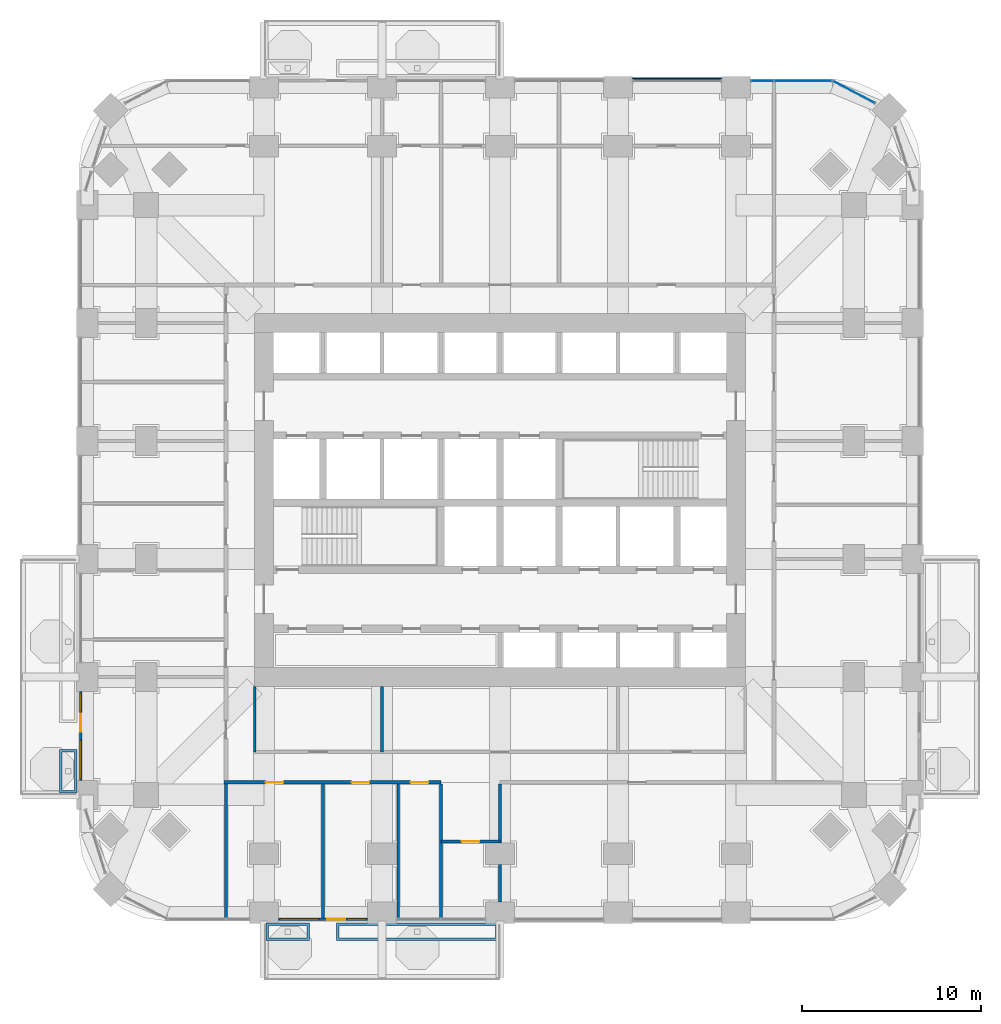
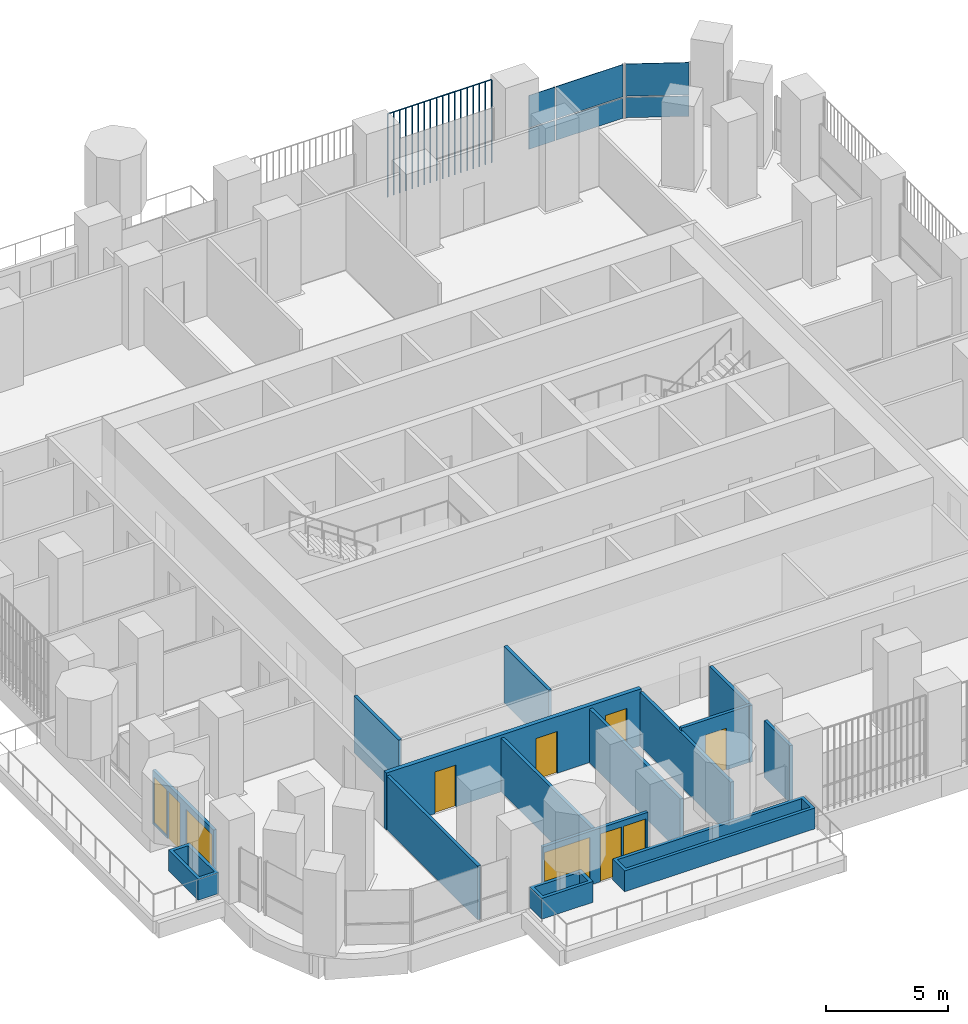
# One storey, part 12 of 21: 15 walls, 7 plates, 6 doors, 4 windows, 10 openings, 2 elements without a shape of their own.
"""IFC4 building model written with IfcOpenShell, lengths in metres."""

from ifc_helpers import new_model, si_unit, direction, frame, frame_2d, origin, origin_2d, place, context, subcontext, project, spatial, polyline, rectangle, outline, extrude, material, layer, layer_set, type_object, element, fill, aggregate, save


model = new_model("IFC4")

# Units and contexts
model_context = context("Model", 3, precision=1e-05, world=origin(), true_north=direction((0.0, 1.0)))
body_context = subcontext(model_context, "Body", "Model", "MODEL_VIEW")
ifc_project = project(units=[si_unit("LENGTHUNIT", "METRE"), si_unit("AREAUNIT", "SQUARE_METRE"), si_unit("VOLUMEUNIT", "CUBIC_METRE"), si_unit("PLANEANGLEUNIT", "RADIAN"), si_unit("MASSUNIT", "GRAM", prefix="KILO")], contexts=[model_context])

# Site, building, storey
site_placement = place(None, origin())
site = spatial("IfcSite", under=ifc_project, at=site_placement, CompositionType="ELEMENT")
building_placement = place(site_placement, origin())
building = spatial("IfcBuilding", under=site, at=building_placement, Name="Cobogo Forest Laboratory Tower", CompositionType="ELEMENT")
storey_placement = place(building_placement, frame((0.0, 0.0, 90.60009765625)))
storey = spatial("IfcBuildingStorey", under=building, at=storey_placement, Name="L20", CompositionType="ELEMENT", Elevation=90.60009765625)

# Curtain wall, plates
ifc_material_1 = material(Name="Aluminium curtain wall", Category="aluminium")
curtain_wall_type = type_object("IfcCurtainWallType", Name="CW-1 unitised curtain wall, clear glazing, laboratory floors zones A and B", PredefinedType="USERDEFINED", material=ifc_material_1)
curtain_wall_1_placement = place(storey_placement, origin())
curtain_wall_1 = element("IfcCurtainWall", 1, at=curtain_wall_1_placement, inside=storey, type_object=curtain_wall_type, Name="Curtain wall 17 L20", ObjectType="UNITISED CURTAIN WALL", PredefinedType="USERDEFINED")
ifc_material_2 = material(Name="Clear insulated glass", Category="glass")
ifc_layer_1 = layer(ifc_material_2, 0.028076171875)
ifc_layer_set_1 = layer_set([ifc_layer_1], Name="GP-1 clear insulated glass unit 28")
plate_type_1 = type_object("IfcPlateType", Name="GP-1 clear insulated glass unit 28", PredefinedType="CURTAIN_PANEL", material=ifc_layer_set_1)
plate_1_placement = place(storey_placement, frame((46.2060546875, 45.917724609375, 0.0), z_axis=(0.0, 0.0, 1.0), x_axis=(-0.885686540666, 0.464283697413, 0.0)))
plate_1 = element("IfcPlate", 2, at=plate_1_placement, type_object=plate_type_1, Name="CW-1 panel 1.1", PredefinedType="CURTAIN_PANEL", context=body_context, shape_type="SweptSolid", body=[
    extrude(rectangle(XDim=2.603271484375, YDim=0.028076171875, at=origin_2d()), origin(), (0.0, 0.0, 1.0), 1.02001953125),
])
plate_2_placement = place(storey_placement, frame((46.2060546875, 45.917724609375, 1.079833984375), z_axis=(0.0, 0.0, 1.0), x_axis=(-0.885686540666, 0.464283697413, 0.0)))
plate_2 = element("IfcPlate", 3, at=plate_2_placement, type_object=plate_type_1, Name="CW-1 panel 1.2", PredefinedType="CURTAIN_PANEL", context=body_context, shape_type="SweptSolid", body=[
    extrude(rectangle(XDim=2.603271484375, YDim=0.028076171875, at=origin_2d()), origin(), (0.0, 0.0, 1.0), 1.6201171875),
])
aggregate(curtain_wall_1, [plate_1, plate_2])

curtain_wall_2_placement = place(storey_placement, origin())
curtain_wall_2 = element("IfcCurtainWall", 4, at=curtain_wall_2_placement, inside=storey, type_object=curtain_wall_type, Name="Curtain wall 18 L20", ObjectType="UNITISED CURTAIN WALL", PredefinedType="USERDEFINED")
plate_3_placement = place(storey_placement, frame((43.347412109375, 46.550048828125, 0.0), z_axis=(0.0, 0.0, 1.0), x_axis=(-1.0, 0.0, 0.0)))
plate_3 = element("IfcPlate", 5, at=plate_3_placement, type_object=plate_type_1, Name="CW-1 panel 1.1", PredefinedType="CURTAIN_PANEL", context=body_context, shape_type="SweptSolid", body=[
    extrude(rectangle(XDim=3.18505859375, YDim=0.028076171875, at=origin_2d()), origin(), (0.0, 0.0, 1.0), 1.02001953125),
])
plate_4_placement = place(storey_placement, frame((43.347412109375, 46.550048828125, 1.079833984375), z_axis=(0.0, 0.0, 1.0), x_axis=(-1.0, 0.0, 0.0)))
plate_4 = element("IfcPlate", 6, at=plate_4_placement, type_object=plate_type_1, Name="CW-1 panel 1.2", PredefinedType="CURTAIN_PANEL", context=body_context, shape_type="SweptSolid", body=[
    extrude(rectangle(XDim=3.18505859375, YDim=0.028076171875, at=origin_2d()), origin(), (0.0, 0.0, 1.0), 1.6201171875),
])
plate_5_placement = place(storey_placement, frame((41.077392578125, 46.550048828125, 0.0), z_axis=(0.0, 0.0, 1.0), x_axis=(-1.0, 0.0, 0.0)))
plate_5 = element("IfcPlate", 7, at=plate_5_placement, type_object=plate_type_1, Name="CW-1 panel 2.1", PredefinedType="CURTAIN_PANEL", context=body_context, shape_type="SweptSolid", body=[
    extrude(rectangle(XDim=1.235107421875, YDim=0.028076171875, at=origin_2d()), origin(), (0.0, 0.0, 1.0), 1.02001953125),
])
plate_6_placement = place(storey_placement, frame((41.077392578125, 46.550048828125, 1.079833984375), z_axis=(0.0, 0.0, 1.0), x_axis=(-1.0, 0.0, 0.0)))
plate_6 = element("IfcPlate", 8, at=plate_6_placement, type_object=plate_type_1, Name="CW-1 panel 2.2", PredefinedType="CURTAIN_PANEL", context=body_context, shape_type="SweptSolid", body=[
    extrude(rectangle(XDim=1.235107421875, YDim=0.028076171875, at=origin_2d()), origin(), (0.0, 0.0, 1.0), 1.6201171875),
])
aggregate(curtain_wall_2, [plate_3, plate_4, plate_5, plate_6])

# Plate
ifc_material_3 = material(Name="Terracotta", Category="masonry")
plate_type_2 = type_object("IfcPlateType", Name="TB1 terracotta baguette screen", PredefinedType="USERDEFINED", material=ifc_material_3)
plate_7_placement = place(storey_placement, frame((33.831298828125, 46.677978515625, -0.150146484375)))
element("IfcPlate", 9, at=plate_7_placement, inside=storey, type_object=plate_type_2, Name="Baguette screen N4 L20", ObjectType="BAGUETTE SCREEN", PredefinedType="USERDEFINED", context=body_context, shape_type="SweptSolid", body=[
    extrude(outline(polyline([(0.02880859375, 0.011962890625), (0.011962890625, 0.02880859375), (-0.011962890625, 0.02880859375), (-0.02880859375, 0.011962890625), (-0.02880859375, -0.011962890625), (-0.011962890625, -0.02880859375), (0.011962890625, -0.02880859375), (0.02880859375, -0.011962890625), (0.02880859375, 0.011962890625)])), frame((0.0, 0.0, 4.168701171875), z_axis=(1.0, 0.0, 0.0), x_axis=(0.0, 1.0, 0.0)), (0.0, 0.0, 1.0), 4.9375),
    extrude(outline(polyline([(0.02880859375, 0.011962890625), (0.011962890625, 0.02880859375), (-0.011962890625, 0.02880859375), (-0.02880859375, 0.011962890625), (-0.02880859375, -0.011962890625), (-0.011962890625, -0.02880859375), (0.011962890625, -0.02880859375), (0.02880859375, -0.011962890625), (0.02880859375, 0.011962890625)])), origin(), (0.0, 0.0, 1.0), 4.137451171875),
    extrude(outline(polyline([(0.02880859375, 0.011962890625), (0.011962890625, 0.02880859375), (-0.011962890625, 0.02880859375), (-0.02880859375, 0.011962890625), (-0.02880859375, -0.011962890625), (-0.011962890625, -0.02880859375), (0.011962890625, -0.02880859375), (0.02880859375, -0.011962890625), (0.02880859375, 0.011962890625)])), frame((0.29052734375, 0.0, 0.0)), (0.0, 0.0, 1.0), 4.137451171875),
    extrude(outline(polyline([(0.02880859375, 0.011962890625), (0.011962890625, 0.02880859375), (-0.011962890625, 0.02880859375), (-0.02880859375, 0.011962890625), (-0.02880859375, -0.011962890625), (-0.011962890625, -0.02880859375), (0.011962890625, -0.02880859375), (0.02880859375, -0.011962890625), (0.02880859375, 0.011962890625)])), frame((0.580810546875, 0.0, 0.0)), (0.0, 0.0, 1.0), 4.137451171875),
    extrude(outline(polyline([(0.02880859375, 0.011962890625), (0.011962890625, 0.02880859375), (-0.011962890625, 0.02880859375), (-0.02880859375, 0.011962890625), (-0.02880859375, -0.011962890625), (-0.011962890625, -0.02880859375), (0.011962890625, -0.02880859375), (0.02880859375, -0.011962890625), (0.02880859375, 0.011962890625)])), frame((0.871337890625, 0.0, 0.0)), (0.0, 0.0, 1.0), 4.137451171875),
    extrude(outline(polyline([(0.02880859375, 0.011962890625), (0.011962890625, 0.02880859375), (-0.011962890625, 0.02880859375), (-0.02880859375, 0.011962890625), (-0.02880859375, -0.011962890625), (-0.011962890625, -0.02880859375), (0.011962890625, -0.02880859375), (0.02880859375, -0.011962890625), (0.02880859375, 0.011962890625)])), frame((1.161865234375, 0.0, 0.0)), (0.0, 0.0, 1.0), 4.137451171875),
    extrude(outline(polyline([(0.02880859375, 0.011962890625), (0.011962890625, 0.02880859375), (-0.011962890625, 0.02880859375), (-0.02880859375, 0.011962890625), (-0.02880859375, -0.011962890625), (-0.011962890625, -0.02880859375), (0.011962890625, -0.02880859375), (0.02880859375, -0.011962890625), (0.02880859375, 0.011962890625)])), frame((1.4521484375, 0.0, 0.0)), (0.0, 0.0, 1.0), 4.137451171875),
    extrude(outline(polyline([(0.02880859375, 0.011962890625), (0.011962890625, 0.02880859375), (-0.011962890625, 0.02880859375), (-0.02880859375, 0.011962890625), (-0.02880859375, -0.011962890625), (-0.011962890625, -0.02880859375), (0.011962890625, -0.02880859375), (0.02880859375, -0.011962890625), (0.02880859375, 0.011962890625)])), frame((1.74267578125, 0.0, 0.0)), (0.0, 0.0, 1.0), 4.137451171875),
    extrude(outline(polyline([(0.02880859375, 0.011962890625), (0.011962890625, 0.02880859375), (-0.011962890625, 0.02880859375), (-0.02880859375, 0.011962890625), (-0.02880859375, -0.011962890625), (-0.011962890625, -0.02880859375), (0.011962890625, -0.02880859375), (0.02880859375, -0.011962890625), (0.02880859375, 0.011962890625)])), frame((2.033203125, 0.0, 0.0)), (0.0, 0.0, 1.0), 4.137451171875),
    extrude(outline(polyline([(0.02880859375, 0.011962890625), (0.011962890625, 0.02880859375), (-0.011962890625, 0.02880859375), (-0.02880859375, 0.011962890625), (-0.02880859375, -0.011962890625), (-0.011962890625, -0.02880859375), (0.011962890625, -0.02880859375), (0.02880859375, -0.011962890625), (0.02880859375, 0.011962890625)])), frame((2.323486328125, 0.0, 0.0)), (0.0, 0.0, 1.0), 4.137451171875),
    extrude(outline(polyline([(0.02880859375, 0.011962890625), (0.011962890625, 0.02880859375), (-0.011962890625, 0.02880859375), (-0.02880859375, 0.011962890625), (-0.02880859375, -0.011962890625), (-0.011962890625, -0.02880859375), (0.011962890625, -0.02880859375), (0.02880859375, -0.011962890625), (0.02880859375, 0.011962890625)])), frame((2.614013671875, 0.0, 0.0)), (0.0, 0.0, 1.0), 4.137451171875),
    extrude(outline(polyline([(0.02880859375, 0.011962890625), (0.011962890625, 0.02880859375), (-0.011962890625, 0.02880859375), (-0.02880859375, 0.011962890625), (-0.02880859375, -0.011962890625), (-0.011962890625, -0.02880859375), (0.011962890625, -0.02880859375), (0.02880859375, -0.011962890625), (0.02880859375, 0.011962890625)])), frame((2.904296875, 0.0, 0.0)), (0.0, 0.0, 1.0), 4.137451171875),
    extrude(outline(polyline([(0.02880859375, 0.011962890625), (0.011962890625, 0.02880859375), (-0.011962890625, 0.02880859375), (-0.02880859375, 0.011962890625), (-0.02880859375, -0.011962890625), (-0.011962890625, -0.02880859375), (0.011962890625, -0.02880859375), (0.02880859375, -0.011962890625), (0.02880859375, 0.011962890625)])), frame((3.19482421875, 0.0, 0.0)), (0.0, 0.0, 1.0), 4.137451171875),
    extrude(outline(polyline([(0.02880859375, 0.011962890625), (0.011962890625, 0.02880859375), (-0.011962890625, 0.02880859375), (-0.02880859375, 0.011962890625), (-0.02880859375, -0.011962890625), (-0.011962890625, -0.02880859375), (0.011962890625, -0.02880859375), (0.02880859375, -0.011962890625), (0.02880859375, 0.011962890625)])), frame((3.4853515625, 0.0, 0.0)), (0.0, 0.0, 1.0), 4.137451171875),
    extrude(outline(polyline([(0.02880859375, 0.011962890625), (0.011962890625, 0.02880859375), (-0.011962890625, 0.02880859375), (-0.02880859375, 0.011962890625), (-0.02880859375, -0.011962890625), (-0.011962890625, -0.02880859375), (0.011962890625, -0.02880859375), (0.02880859375, -0.011962890625), (0.02880859375, 0.011962890625)])), frame((3.775634765625, 0.0, 0.0)), (0.0, 0.0, 1.0), 4.137451171875),
    extrude(outline(polyline([(0.02880859375, 0.011962890625), (0.011962890625, 0.02880859375), (-0.011962890625, 0.02880859375), (-0.02880859375, 0.011962890625), (-0.02880859375, -0.011962890625), (-0.011962890625, -0.02880859375), (0.011962890625, -0.02880859375), (0.02880859375, -0.011962890625), (0.02880859375, 0.011962890625)])), frame((4.066162109375, 0.0, 0.0)), (0.0, 0.0, 1.0), 4.137451171875),
    extrude(outline(polyline([(0.02880859375, 0.011962890625), (0.011962890625, 0.02880859375), (-0.011962890625, 0.02880859375), (-0.02880859375, 0.011962890625), (-0.02880859375, -0.011962890625), (-0.011962890625, -0.02880859375), (0.011962890625, -0.02880859375), (0.02880859375, -0.011962890625), (0.02880859375, 0.011962890625)])), frame((4.356689453125, 0.0, 0.0)), (0.0, 0.0, 1.0), 4.137451171875),
    extrude(outline(polyline([(0.02880859375, 0.011962890625), (0.011962890625, 0.02880859375), (-0.011962890625, 0.02880859375), (-0.02880859375, 0.011962890625), (-0.02880859375, -0.011962890625), (-0.011962890625, -0.02880859375), (0.011962890625, -0.02880859375), (0.02880859375, -0.011962890625), (0.02880859375, 0.011962890625)])), frame((4.64697265625, 0.0, 0.0)), (0.0, 0.0, 1.0), 4.137451171875),
    extrude(outline(polyline([(0.02880859375, 0.011962890625), (0.011962890625, 0.02880859375), (-0.011962890625, 0.02880859375), (-0.02880859375, 0.011962890625), (-0.02880859375, -0.011962890625), (-0.011962890625, -0.02880859375), (0.011962890625, -0.02880859375), (0.02880859375, -0.011962890625), (0.02880859375, 0.011962890625)])), frame((4.9375, 0.0, 0.0)), (0.0, 0.0, 1.0), 4.137451171875),
])

# Wall, openings, door, windows
ifc_material_4 = material(Name="Aluminium framed glazed screen", Category="aluminium")
ifc_layer_2 = layer(ifc_material_4, 0.14990234375)
ifc_layer_set_2 = layer_set([ifc_layer_2], Name="GS1 glazed door screen 150")
wall_type_1 = type_object("IfcWallType", Name="GS1 glazed door screen 150", PredefinedType="SOLIDWALL", material=ifc_layer_set_2)
wall_1_placement = place(storey_placement, frame((14.0, -0.35009765625, 0.0), z_axis=(0.0, 0.0, 1.0), x_axis=(1.0, 0.0, 0.0)))
wall_1 = element("IfcWall", 10, at=wall_1_placement, inside=storey, type_object=wall_type_1, Name="Door screen BAL-S1 L20", PredefinedType="SOLIDWALL", context=body_context, shape_type="SweptSolid", body=[
    extrude(rectangle(XDim=5.0, YDim=0.14990234375, at=frame_2d((2.5, 0.0))), origin(), (0.0, 0.0, 1.0), 2.699951171875),
])
opening_1_placement = place(wall_1_placement, frame((2.75, 0.0, 0.0)))
opening_1 = element("IfcOpeningElement", 11, at=opening_1_placement, cuts=wall_1, Name="Opening L20-D01", PredefinedType="OPENING", context=body_context, shape_type="SweptSolid", body=[
    extrude(rectangle(XDim=1.0, YDim=2.39990234375, at=frame_2d((0.5, 1.199951171875))), frame((0.0, 0.0849609375, 0.0), z_axis=(0.0, -1.0, 0.0), x_axis=(1.0, 0.0, 0.0)), (0.0, 0.0, 1.0), 0.169921875),
])
opening_2_placement = place(wall_1_placement, frame((0.10009765625, 0.0, 0.10009765625)))
opening_2 = element("IfcOpeningElement", 12, at=opening_2_placement, cuts=wall_1, Name="Opening L20-W01", PredefinedType="OPENING", context=body_context, shape_type="SweptSolid", body=[
    extrude(rectangle(XDim=2.14990234375, YDim=2.300048828125, at=frame_2d((1.074951171875, 1.14990234375))), frame((0.0, 0.0849609375, 0.0), z_axis=(0.0, -1.0, 0.0), x_axis=(1.0, 0.0, 0.0)), (0.0, 0.0, 1.0), 0.169921875),
])
opening_3_placement = place(wall_1_placement, frame((3.85009765625, 0.0, 0.10009765625)))
opening_3 = element("IfcOpeningElement", 13, at=opening_3_placement, cuts=wall_1, Name="Opening L20-W02", PredefinedType="OPENING", context=body_context, shape_type="SweptSolid", body=[
    extrude(rectangle(XDim=1.050048828125, YDim=2.300048828125, at=frame_2d((0.52490234375, 1.14990234375))), frame((0.0, 0.0849609375, 0.0), z_axis=(0.0, -1.0, 0.0), x_axis=(1.0, 0.0, 0.0)), (0.0, 0.0, 1.0), 0.169921875),
])
ifc_material_5 = material(Name="Aluminium glazed door", Category="aluminium")
door_type_1 = type_object("IfcDoorType", Name="DB1 balcony door 1000 glazed", OperationType="SINGLE_SWING_LEFT", PredefinedType="DOOR", material=ifc_material_5)
door_1_placement = place(opening_1_placement, origin())
door_1 = element("IfcDoor", 14, at=door_1_placement, inside=storey, type_object=door_type_1, Name="Door L20-BAL-S1", OperationType="SINGLE_SWING_RIGHT", OverallHeight=2.39990234375, OverallWidth=1.0, PredefinedType="DOOR", context=body_context, shape_type="SweptSolid", body=[
    extrude(rectangle(XDim=1.0, YDim=2.39990234375, at=frame_2d((0.5, 1.199951171875))), frame((0.0, 0.02490234375, 0.0), z_axis=(0.0, -1.0, 0.0), x_axis=(1.0, 0.0, 0.0)), (0.0, 0.0, 1.0), 0.050048828125),
])
fill(opening_1, door_1)
ifc_material_6 = material(Name="Aluminium framed glazing", Category="aluminium")
window_type_1 = type_object("IfcWindowType", Name="WG13 fixed glazed light 2150x2300", PartitioningType="SINGLE_PANEL", PredefinedType="WINDOW", material=ifc_material_6)
window_1_placement = place(opening_2_placement, origin())
window_1 = element("IfcWindow", 15, at=window_1_placement, inside=storey, type_object=window_type_1, Name="Window L20-BAL-S1-1", OverallHeight=2.300048828125, OverallWidth=2.14990234375, PartitioningType="SINGLE_PANEL", PredefinedType="WINDOW", context=body_context, shape_type="SweptSolid", body=[
    extrude(rectangle(XDim=2.14990234375, YDim=2.300048828125, at=frame_2d((1.074951171875, 1.14990234375))), frame((0.0, 0.030029296875, 0.0), z_axis=(0.0, -1.0, 0.0), x_axis=(1.0, 0.0, 0.0)), (0.0, 0.0, 1.0), 0.06005859375),
])
fill(opening_2, window_1)
window_type_2 = type_object("IfcWindowType", Name="WG14 fixed glazed light 1050x2300", PartitioningType="SINGLE_PANEL", PredefinedType="WINDOW", material=ifc_material_6)
window_2_placement = place(opening_3_placement, origin())
window_2 = element("IfcWindow", 16, at=window_2_placement, inside=storey, type_object=window_type_2, Name="Window L20-BAL-S1-2", OverallHeight=2.300048828125, OverallWidth=1.050048828125, PartitioningType="SINGLE_PANEL", PredefinedType="WINDOW", context=body_context, shape_type="SweptSolid", body=[
    extrude(rectangle(XDim=1.050048828125, YDim=2.300048828125, at=frame_2d((0.52490234375, 1.14990234375))), frame((0.0, 0.030029296875, 0.0), z_axis=(0.0, -1.0, 0.0), x_axis=(1.0, 0.0, 0.0)), (0.0, 0.0, 1.0), 0.06005859375),
])
fill(opening_3, window_2)

wall_2_placement = place(storey_placement, frame((2.949951171875, 12.39990234375, 0.0), z_axis=(0.0, 0.0, 1.0), x_axis=(0.0, -1.0, 0.0)))
wall_2 = element("IfcWall", 17, at=wall_2_placement, inside=storey, type_object=wall_type_1, Name="Door screen BAL-W1 L20", PredefinedType="SOLIDWALL", context=body_context, shape_type="SweptSolid", body=[
    extrude(rectangle(XDim=5.0, YDim=0.14990234375, at=frame_2d((2.5, 0.0))), origin(), (0.0, 0.0, 1.0), 2.699951171875),
])
opening_4_placement = place(wall_2_placement, frame((1.25, 0.0, 0.0)))
opening_4 = element("IfcOpeningElement", 18, at=opening_4_placement, cuts=wall_2, Name="Opening L20-D11", PredefinedType="OPENING", context=body_context, shape_type="SweptSolid", body=[
    extrude(rectangle(XDim=1.0, YDim=2.39990234375, at=frame_2d((0.5, 1.199951171875))), frame((0.0, 0.0849609375, 0.0), z_axis=(0.0, -1.0, 0.0), x_axis=(1.0, 0.0, 0.0)), (0.0, 0.0, 1.0), 0.169921875),
])
opening_5_placement = place(wall_2_placement, frame((0.10009765625, 0.0, 0.10009765625)))
opening_5 = element("IfcOpeningElement", 19, at=opening_5_placement, cuts=wall_2, Name="Opening L20-W05", PredefinedType="OPENING", context=body_context, shape_type="SweptSolid", body=[
    extrude(rectangle(XDim=1.050048828125, YDim=2.300048828125, at=frame_2d((0.52490234375, 1.14990234375))), frame((0.0, 0.0849609375, 0.0), z_axis=(0.0, -1.0, 0.0), x_axis=(1.0, 0.0, 0.0)), (0.0, 0.0, 1.0), 0.169921875),
])
opening_6_placement = place(wall_2_placement, frame((2.75, 0.0, 0.10009765625)))
opening_6 = element("IfcOpeningElement", 20, at=opening_6_placement, cuts=wall_2, Name="Opening L20-W03", PredefinedType="OPENING", context=body_context, shape_type="SweptSolid", body=[
    extrude(rectangle(XDim=2.14990234375, YDim=2.300048828125, at=frame_2d((1.074951171875, 1.14990234375))), frame((0.0, 0.0849609375, 0.0), z_axis=(0.0, -1.0, 0.0), x_axis=(1.0, 0.0, 0.0)), (0.0, 0.0, 1.0), 0.169921875),
])
door_2_placement = place(opening_4_placement, origin())
door_2 = element("IfcDoor", 21, at=door_2_placement, inside=storey, type_object=door_type_1, Name="Door L20-BAL-W1", OperationType="SINGLE_SWING_LEFT", OverallHeight=2.39990234375, OverallWidth=1.0, PredefinedType="DOOR", context=body_context, shape_type="SweptSolid", body=[
    extrude(rectangle(XDim=1.0, YDim=2.39990234375, at=frame_2d((0.5, 1.199951171875))), frame((0.0, 0.02490234375, 0.0), z_axis=(0.0, -1.0, 0.0), x_axis=(1.0, 0.0, 0.0)), (0.0, 0.0, 1.0), 0.050048828125),
])
fill(opening_4, door_2)
window_3_placement = place(opening_6_placement, origin())
window_3 = element("IfcWindow", 22, at=window_3_placement, inside=storey, type_object=window_type_1, Name="Window L20-BAL-W1-2", OverallHeight=2.300048828125, OverallWidth=2.14990234375, PartitioningType="SINGLE_PANEL", PredefinedType="WINDOW", context=body_context, shape_type="SweptSolid", body=[
    extrude(rectangle(XDim=2.14990234375, YDim=2.300048828125, at=frame_2d((1.074951171875, 1.14990234375))), frame((0.0, 0.030029296875, 0.0), z_axis=(0.0, -1.0, 0.0), x_axis=(1.0, 0.0, 0.0)), (0.0, 0.0, 1.0), 0.06005859375),
])
fill(opening_6, window_3)
window_4_placement = place(opening_5_placement, origin())
window_4 = element("IfcWindow", 23, at=window_4_placement, inside=storey, type_object=window_type_2, Name="Window L20-BAL-W1-1", OverallHeight=2.300048828125, OverallWidth=1.050048828125, PartitioningType="SINGLE_PANEL", PredefinedType="WINDOW", context=body_context, shape_type="SweptSolid", body=[
    extrude(rectangle(XDim=1.050048828125, YDim=2.300048828125, at=frame_2d((0.52490234375, 1.14990234375))), frame((0.0, 0.030029296875, 0.0), z_axis=(0.0, -1.0, 0.0), x_axis=(1.0, 0.0, 0.0)), (0.0, 0.0, 1.0), 0.06005859375),
])
fill(opening_5, window_4)

# Walls
ifc_material_7 = material(Name="Gypsum board on steel studs", Category="steel")
ifc_layer_3 = layer(ifc_material_7, 0.14990234375)
ifc_layer_set_3 = layer_set([ifc_layer_3], Name="PT1 laboratory partition 150")
wall_type_2 = type_object("IfcWallType", Name="PT1 laboratory partition 150", PredefinedType="PARTITIONING", material=ifc_layer_set_3)
for number, where, z_axis, x_axis, name in (
    (24, (12.675048828125, 12.675048828125, 0.0), (0.0, 0.0, 1.0), (0.0, -1.0, 0.0), "Partition CSTRIP-SW L20"),
    (25, (19.800048828125, 12.675048828125, 0.0), (0.0, 0.0, 1.0), (0.0, -1.0, 0.0), "Partition CSTRIP-S19.8 L20"),
):
    element("IfcWall", number, at=place(storey_placement, frame(where, z_axis=z_axis, x_axis=x_axis)), inside=storey, type_object=wall_type_2, Name=name, PredefinedType="PARTITIONING", context=body_context, shape_type="SweptSolid", body=[
        extrude(rectangle(XDim=3.675048828125, YDim=0.14990234375, at=frame_2d((1.83740234375, 0.0))), origin(), (0.0, 0.0, 1.0), 2.849853515625),
    ])
for number, where, z_axis, x_axis, name in (
    (26, (11.074951171875, -0.27001953125, 0.0), (0.0, 0.0, 1.0), (0.0, 1.0, 0.0), "Partition PW-SW L20"),
    (27, (20.699951171875, -0.27001953125, 0.0), (0.0, 0.0, 1.0), (0.0, 1.0, 0.0), "Partition SVC-S1-1 L20"),
):
    element("IfcWall", number, at=place(storey_placement, frame(where, z_axis=z_axis, x_axis=x_axis)), inside=storey, type_object=wall_type_2, Name=name, PredefinedType="PARTITIONING", context=body_context, shape_type="SweptSolid", body=[
        extrude(rectangle(XDim=7.469970703125, YDim=0.14990234375, at=frame_2d((3.73486328125, 0.0))), origin(), (0.0, 0.0, 1.0), 2.699951171875),
    ])

# Wall, opening, door
wall_3_placement = place(storey_placement, frame((23.10009765625, 4.0, 0.0), z_axis=(0.0, 0.0, 1.0), x_axis=(1.0, 0.0, 0.0)))
wall_3 = element("IfcWall", 28, at=wall_3_placement, inside=storey, type_object=wall_type_2, Name="Partition NODE-S-1 L20", PredefinedType="PARTITIONING", context=body_context, shape_type="SweptSolid", body=[
    extrude(rectangle(XDim=3.2998046875, YDim=0.14990234375, at=frame_2d((1.64990234375, 0.0))), origin(), (0.0, 0.0, 1.0), 2.849853515625),
])
opening_7_placement = place(wall_3_placement, frame((1.14990234375, 0.0, 0.0)))
opening_7 = element("IfcOpeningElement", 29, at=opening_7_placement, cuts=wall_3, Name="Opening L20-D02", PredefinedType="OPENING", context=body_context, shape_type="SweptSolid", body=[
    extrude(rectangle(XDim=1.0, YDim=2.10009765625, at=frame_2d((0.5, 1.050048828125))), frame((0.0, 0.0849609375, 0.0), z_axis=(0.0, -1.0, 0.0), x_axis=(1.0, 0.0, 0.0)), (0.0, 0.0, 1.0), 0.169921875),
])
ifc_material_8 = material(Name="Timber fire door", Category="wood")
door_type_2 = type_object("IfcDoorType", Name="FD2 fire door 1000 EI2 30", OperationType="SINGLE_SWING_LEFT", PredefinedType="DOOR", material=ifc_material_8)
door_3_placement = place(opening_7_placement, origin())
door_3 = element("IfcDoor", 30, at=door_3_placement, inside=storey, type_object=door_type_2, Name="Door L20-S3", OperationType="SINGLE_SWING_LEFT", OverallHeight=2.10009765625, OverallWidth=1.0, PredefinedType="DOOR", context=body_context, shape_type="SweptSolid", body=[
    extrude(rectangle(XDim=1.0, YDim=2.10009765625, at=frame_2d((0.5, 1.050048828125))), frame((0.0, 0.02490234375, 0.0), z_axis=(0.0, -1.0, 0.0), x_axis=(1.0, 0.0, 0.0)), (0.0, 0.0, 1.0), 0.050048828125),
])
fill(opening_7, door_3)

# Walls
for number, where, z_axis, x_axis, name in (
    (31, (16.5, -0.27001953125, 0.0), (0.0, 0.0, 1.0), (0.0, 1.0, 0.0), "Partition CUT-S16.5-1 L20"),
    (32, (23.10009765625, -0.27001953125, 0.0), (0.0, 0.0, 1.0), (0.0, 1.0, 0.0), "Partition CUT-S23.1-1 L20"),
):
    element("IfcWall", number, at=place(storey_placement, frame(where, z_axis=z_axis, x_axis=x_axis)), inside=storey, type_object=wall_type_2, Name=name, PredefinedType="PARTITIONING", context=body_context, shape_type="SweptSolid", body=[
        extrude(rectangle(XDim=7.469970703125, YDim=0.14990234375, at=frame_2d((3.73486328125, 0.0))), origin(), (0.0, 0.0, 1.0), 2.699951171875),
    ])
wall_4_placement = place(storey_placement, frame((26.39990234375, 0.60009765625, 0.0), z_axis=(0.0, 0.0, 1.0), x_axis=(0.0, 1.0, 0.0)))
element("IfcWall", 33, at=wall_4_placement, inside=storey, type_object=wall_type_2, Name="Partition CUT-S26.4-1 L20", PredefinedType="PARTITIONING", context=body_context, shape_type="SweptSolid", body=[
    extrude(rectangle(XDim=2.099853515625, YDim=0.14990234375, at=frame_2d((1.0498046875, 0.0))), origin(), (0.0, 0.0, 1.0), 2.849853515625),
])
wall_5_placement = place(storey_placement, frame((26.39990234375, 3.89990234375, 0.0), z_axis=(0.0, 0.0, 1.0), x_axis=(0.0, 1.0, 0.0)))
element("IfcWall", 34, at=wall_5_placement, inside=storey, type_object=wall_type_2, Name="Partition CUT-S26.4-2 L20", PredefinedType="PARTITIONING", context=body_context, shape_type="SweptSolid", body=[
    extrude(rectangle(XDim=3.300048828125, YDim=0.14990234375, at=frame_2d((1.64990234375, 0.0))), origin(), (0.0, 0.0, 1.0), 2.849853515625),
])

# Wall, openings, doors
ifc_layer_4 = layer(ifc_material_7, 0.199951171875)
ifc_layer_set_4 = layer_set([ifc_layer_4], Name="PT2 fire-rated corridor partition 200")
wall_type_3 = type_object("IfcWallType", Name="PT2 fire-rated corridor partition 200", PredefinedType="PARTITIONING", material=ifc_layer_set_4)
wall_6_placement = place(storey_placement, frame((10.97509765625, 7.300048828125, 0.0), z_axis=(0.0, 0.0, 1.0), x_axis=(1.0, 0.0, 0.0)))
wall_6 = element("IfcWall", 35, at=wall_6_placement, inside=storey, type_object=wall_type_3, Name="Partition CORR-S-1 L20", PredefinedType="PARTITIONING", context=body_context, shape_type="SweptSolid", body=[
    extrude(rectangle(XDim=12.125, YDim=0.199951171875, at=frame_2d((6.0625, 0.0))), origin(), (0.0, 0.0, 1.0), 2.849853515625),
])
opening_8_placement = place(wall_6_placement, frame((2.3125, 0.0, 0.0)))
opening_8 = element("IfcOpeningElement", 36, at=opening_8_placement, cuts=wall_6, Name="Opening L20-D03", PredefinedType="OPENING", context=body_context, shape_type="SweptSolid", body=[
    extrude(rectangle(XDim=1.0, YDim=2.10009765625, at=frame_2d((0.5, 1.050048828125))), frame((0.0, 0.10986328125, 0.0), z_axis=(0.0, -1.0, 0.0), x_axis=(1.0, 0.0, 0.0)), (0.0, 0.0, 1.0), 0.219970703125),
])
opening_9_placement = place(wall_6_placement, frame((7.125, 0.0, 0.0)))
opening_9 = element("IfcOpeningElement", 37, at=opening_9_placement, cuts=wall_6, Name="Opening L20-D04", PredefinedType="OPENING", context=body_context, shape_type="SweptSolid", body=[
    extrude(rectangle(XDim=1.0, YDim=2.10009765625, at=frame_2d((0.5, 1.050048828125))), frame((0.0, 0.10986328125, 0.0), z_axis=(0.0, -1.0, 0.0), x_axis=(1.0, 0.0, 0.0)), (0.0, 0.0, 1.0), 0.219970703125),
])
opening_10_placement = place(wall_6_placement, frame((10.425048828125, 0.0, 0.0)))
opening_10 = element("IfcOpeningElement", 38, at=opening_10_placement, cuts=wall_6, Name="Opening L20-D05", PredefinedType="OPENING", context=body_context, shape_type="SweptSolid", body=[
    extrude(rectangle(XDim=1.0, YDim=2.10009765625, at=frame_2d((0.5, 1.050048828125))), frame((0.0, 0.10986328125, 0.0), z_axis=(0.0, -1.0, 0.0), x_axis=(1.0, 0.0, 0.0)), (0.0, 0.0, 1.0), 0.219970703125),
])
door_4_placement = place(opening_8_placement, origin())
door_4 = element("IfcDoor", 39, at=door_4_placement, inside=storey, type_object=door_type_2, Name="Door L20-S1", OperationType="SINGLE_SWING_LEFT", OverallHeight=2.10009765625, OverallWidth=1.0, PredefinedType="DOOR", context=body_context, shape_type="SweptSolid", body=[
    extrude(rectangle(XDim=1.0, YDim=2.10009765625, at=frame_2d((0.5, 1.050048828125))), frame((0.0, 0.02490234375, 0.0), z_axis=(0.0, -1.0, 0.0), x_axis=(1.0, 0.0, 0.0)), (0.0, 0.0, 1.0), 0.050048828125),
])
fill(opening_8, door_4)
door_5_placement = place(opening_9_placement, origin())
door_5 = element("IfcDoor", 40, at=door_5_placement, inside=storey, type_object=door_type_2, Name="Door L20-MTG", OperationType="SINGLE_SWING_RIGHT", OverallHeight=2.10009765625, OverallWidth=1.0, PredefinedType="DOOR", context=body_context, shape_type="SweptSolid", body=[
    extrude(rectangle(XDim=1.0, YDim=2.10009765625, at=frame_2d((0.5, 1.050048828125))), frame((0.0, 0.02490234375, 0.0), z_axis=(0.0, -1.0, 0.0), x_axis=(1.0, 0.0, 0.0)), (0.0, 0.0, 1.0), 0.050048828125),
])
fill(opening_9, door_5)
door_6_placement = place(opening_10_placement, origin())
door_6 = element("IfcDoor", 41, at=door_6_placement, inside=storey, type_object=door_type_2, Name="Door L20-PAN", OperationType="SINGLE_SWING_RIGHT", OverallHeight=2.10009765625, OverallWidth=1.0, PredefinedType="DOOR", context=body_context, shape_type="SweptSolid", body=[
    extrude(rectangle(XDim=1.0, YDim=2.10009765625, at=frame_2d((0.5, 1.050048828125))), frame((0.0, 0.02490234375, 0.0), z_axis=(0.0, -1.0, 0.0), x_axis=(1.0, 0.0, 0.0)), (0.0, 0.0, 1.0), 0.050048828125),
])
fill(opening_10, door_6)

# Walls
ifc_material_9 = material(Name="Concrete HA-40 (C40/50)", Category="concrete")
ifc_layer_5 = layer(ifc_material_9, 0.14990234375)
ifc_layer_set_5 = layer_set([ifc_layer_5], Name="Planter box 1000x1050")
wall_type_4 = type_object("IfcWallType", Name="Planter box 1000x1050", PredefinedType="USERDEFINED", material=ifc_layer_set_5)
wall_7_placement = place(storey_placement, origin())
element("IfcWall", 42, at=wall_7_placement, inside=storey, type_object=wall_type_4, Name="Planter BAL-S1-1 L20", ObjectType="PLANTER", PredefinedType="USERDEFINED", context=body_context, shape_type="SweptSolid", body=[
    extrude(outline(polyline([(13.300048828125, -1.550048828125), (15.75, -1.550048828125), (15.75, -0.550048828125), (13.300048828125, -0.550048828125), (13.300048828125, -1.550048828125)]), holes=[polyline([(13.449951171875, -1.39990234375), (15.60009765625, -1.39990234375), (15.60009765625, -0.699951171875), (13.449951171875, -0.699951171875), (13.449951171875, -1.39990234375)])]), origin(), (0.0, 0.0, 1.0), 1.0498046875),
])
wall_8_placement = place(storey_placement, origin())
element("IfcWall", 43, at=wall_8_placement, inside=storey, type_object=wall_type_4, Name="Planter BAL-S1-2 L20", ObjectType="PLANTER", PredefinedType="USERDEFINED", context=body_context, shape_type="SweptSolid", body=[
    extrude(outline(polyline([(17.25, -1.550048828125), (26.300048828125, -1.550048828125), (26.300048828125, -0.550048828125), (17.25, -0.550048828125), (17.25, -1.550048828125)]), holes=[polyline([(17.39990234375, -1.39990234375), (26.14990234375, -1.39990234375), (26.14990234375, -0.699951171875), (17.39990234375, -0.699951171875), (17.39990234375, -1.39990234375)])]), origin(), (0.0, 0.0, 1.0), 1.0498046875),
])
wall_9_placement = place(storey_placement, origin())
element("IfcWall", 44, at=wall_9_placement, inside=storey, type_object=wall_type_4, Name="Planter BAL-W1-1 L20", ObjectType="PLANTER", PredefinedType="USERDEFINED", context=body_context, shape_type="SweptSolid", body=[
    extrude(outline(polyline([(1.75, 6.699951171875), (2.75, 6.699951171875), (2.75, 9.14990234375), (1.75, 9.14990234375), (1.75, 6.699951171875)]), holes=[polyline([(1.89990234375, 6.85009765625), (2.60009765625, 6.85009765625), (2.60009765625, 9.0), (1.89990234375, 9.0), (1.89990234375, 6.85009765625)])]), origin(), (0.0, 0.0, 1.0), 1.0498046875),
])

save(model, "model.ifc")
